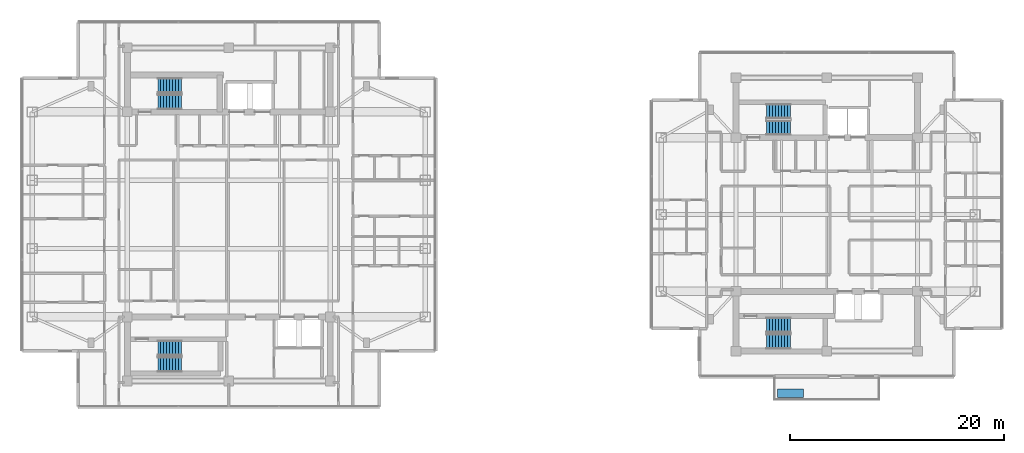
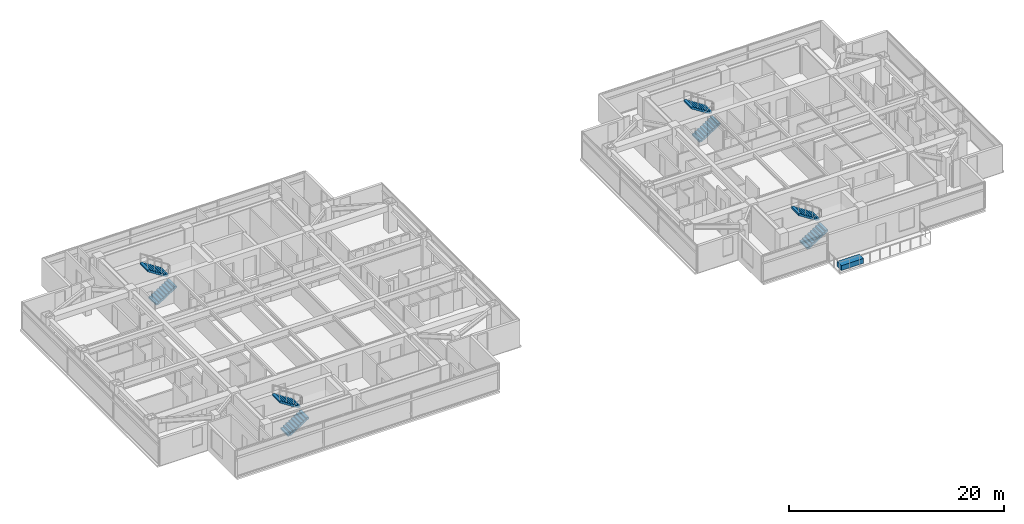
# One storey, part 18 of 23: 8 stair flights, 1 discrete accessory, 4 elements without a shape of their own.
"""IFC4 building model written with IfcOpenShell, lengths in metres."""

from ifc_helpers import new_model, si_unit, direction, frame, origin, origin_2d, place, context, subcontext, project, spatial, polyline, rectangle, outline, extrude, material, type_object, element, aggregate, save


model = new_model("IFC4")

# Units and contexts
model_context = context("Model", 3, precision=1e-05, world=origin(), true_north=direction((0.0, 1.0)))
body_context = subcontext(model_context, "Body", "Model", "MODEL_VIEW")
ifc_project = project(units=[si_unit("LENGTHUNIT", "METRE"), si_unit("AREAUNIT", "SQUARE_METRE"), si_unit("VOLUMEUNIT", "CUBIC_METRE"), si_unit("PLANEANGLEUNIT", "RADIAN"), si_unit("MASSUNIT", "GRAM", prefix="KILO")], contexts=[model_context])

# Site, building, storey
site_placement = place(None, origin())
site = spatial("IfcSite", under=ifc_project, at=site_placement, CompositionType="ELEMENT")
building_placement = place(site_placement, origin())
building = spatial("IfcBuilding", under=site, at=building_placement, Name="Mirazonda Arch Towers", CompositionType="ELEMENT")
storey_placement = place(building_placement, frame((0.0, 0.0, 183.64990234375)))
storey = spatial("IfcBuildingStorey", under=building, at=storey_placement, Name="L52", CompositionType="ELEMENT", Elevation=183.64990234375)

# Stair, stair flights
ifc_material_1 = material(Name="Concrete C40/50", Category="concrete")
stair_type = type_object("IfcStairType", Name="STAIR-CORE-1400", PredefinedType="HALF_TURN_STAIR", material=ifc_material_1)
stair_1_placement = place(storey_placement, origin())
stair_1 = element("IfcStair", 1, at=stair_1_placement, inside=storey, type_object=stair_type, Name="L52 Protected Exit Stair ST-T1N", PredefinedType="HALF_TURN_STAIR")
stair_flight_type = type_object("IfcStairFlightType", Name="FLIGHT-1400", PredefinedType="STRAIGHT", material=ifc_material_1)
stair_flight_1_placement = place(storey_placement, frame((13.85009765625, 38.52001953125, 0.0), z_axis=(0.0, 0.0, 1.0), x_axis=(1.0, 0.0, 0.0)))
stair_flight_1 = element("IfcStairFlight", 2, at=stair_flight_1_placement, type_object=stair_flight_type, Name="ST-T1N flight 1", NumberOfRisers=9, NumberOfTreads=8, PredefinedType="STRAIGHT", RiserHeight=0.180555556, TreadLength=0.28, context=body_context, shape_type="SweptSolid", body=[
    extrude(outline(polyline([(0.0, 0.0), (0.0, 0.1806640625), (0.280029296875, 0.1806640625), (0.280029296875, 0.361083984375), (0.56005859375, 0.361083984375), (0.56005859375, 0.541748046875), (0.840087890625, 0.541748046875), (0.840087890625, 0.72216796875), (1.1201171875, 0.72216796875), (1.1201171875, 0.90283203125), (1.39990234375, 0.90283203125), (1.39990234375, 1.083251953125), (1.679931640625, 1.083251953125), (1.679931640625, 1.263916015625), (1.9599609375, 1.263916015625), (1.9599609375, 1.4443359375), (2.239990234375, 1.4443359375), (2.239990234375, 1.625), (2.239990234375, 1.254150390625), (0.295166015625, 0.0), (0.0, 0.0)])), frame((0.0, 0.699951171875, 0.0), z_axis=(0.0, -1.0, 0.0), x_axis=(1.0, 0.0, 0.0)), (0.0, 0.0, 1.0), 1.39990234375),
])
stair_flight_2_placement = place(storey_placement, frame((16.090087890625, 40.06005859375, 1.625), z_axis=(0.0, 0.0, 1.0), x_axis=(-1.0, 0.0, 0.0)))
stair_flight_2 = element("IfcStairFlight", 3, at=stair_flight_2_placement, type_object=stair_flight_type, Name="ST-T1N flight 2", NumberOfRisers=9, NumberOfTreads=8, PredefinedType="STRAIGHT", RiserHeight=0.180555556, TreadLength=0.28, context=body_context, shape_type="SweptSolid", body=[
    extrude(outline(polyline([(0.0, 0.0), (0.0, 0.1806640625), (0.280029296875, 0.1806640625), (0.280029296875, 0.361083984375), (0.56005859375, 0.361083984375), (0.56005859375, 0.541748046875), (0.840087890625, 0.541748046875), (0.840087890625, 0.72216796875), (1.1201171875, 0.72216796875), (1.1201171875, 0.90283203125), (1.39990234375, 0.90283203125), (1.39990234375, 1.083251953125), (1.679931640625, 1.083251953125), (1.679931640625, 1.263916015625), (1.9599609375, 1.263916015625), (1.9599609375, 1.4443359375), (2.239990234375, 1.4443359375), (2.239990234375, 1.625), (2.239990234375, 1.254150390625), (0.295166015625, 0.0), (0.0, 0.0)])), frame((0.0, 0.699951171875, 0.0), z_axis=(0.0, -1.0, 0.0), x_axis=(1.0, 0.0, 0.0)), (0.0, 0.0, 1.0), 1.39990234375),
])
aggregate(stair_1, [stair_flight_1, stair_flight_2])

stair_2_placement = place(storey_placement, origin())
stair_2 = element("IfcStair", 4, at=stair_2_placement, inside=storey, type_object=stair_type, Name="L52 Protected Exit Stair ST-T1S", PredefinedType="HALF_TURN_STAIR")
stair_flight_3_placement = place(storey_placement, frame((13.85009765625, 13.949951171875, 0.0), z_axis=(0.0, 0.0, 1.0), x_axis=(1.0, 0.0, 0.0)))
stair_flight_3 = element("IfcStairFlight", 5, at=stair_flight_3_placement, type_object=stair_flight_type, Name="ST-T1S flight 1", NumberOfRisers=9, NumberOfTreads=8, PredefinedType="STRAIGHT", RiserHeight=0.180555556, TreadLength=0.28, context=body_context, shape_type="SweptSolid", body=[
    extrude(outline(polyline([(0.0, 0.0), (0.0, 0.1806640625), (0.280029296875, 0.1806640625), (0.280029296875, 0.361083984375), (0.56005859375, 0.361083984375), (0.56005859375, 0.541748046875), (0.840087890625, 0.541748046875), (0.840087890625, 0.72216796875), (1.1201171875, 0.72216796875), (1.1201171875, 0.90283203125), (1.39990234375, 0.90283203125), (1.39990234375, 1.083251953125), (1.679931640625, 1.083251953125), (1.679931640625, 1.263916015625), (1.9599609375, 1.263916015625), (1.9599609375, 1.4443359375), (2.239990234375, 1.4443359375), (2.239990234375, 1.625), (2.239990234375, 1.254150390625), (0.295166015625, 0.0), (0.0, 0.0)])), frame((0.0, 0.699951171875, 0.0), z_axis=(0.0, -1.0, 0.0), x_axis=(1.0, 0.0, 0.0)), (0.0, 0.0, 1.0), 1.39990234375),
])
stair_flight_4_placement = place(storey_placement, frame((16.090087890625, 15.489990234375, 1.625), z_axis=(0.0, 0.0, 1.0), x_axis=(-1.0, 0.0, 0.0)))
stair_flight_4 = element("IfcStairFlight", 6, at=stair_flight_4_placement, type_object=stair_flight_type, Name="ST-T1S flight 2", NumberOfRisers=9, NumberOfTreads=8, PredefinedType="STRAIGHT", RiserHeight=0.180555556, TreadLength=0.28, context=body_context, shape_type="SweptSolid", body=[
    extrude(outline(polyline([(0.0, 0.0), (0.0, 0.1806640625), (0.280029296875, 0.1806640625), (0.280029296875, 0.361083984375), (0.56005859375, 0.361083984375), (0.56005859375, 0.541748046875), (0.840087890625, 0.541748046875), (0.840087890625, 0.72216796875), (1.1201171875, 0.72216796875), (1.1201171875, 0.90283203125), (1.39990234375, 0.90283203125), (1.39990234375, 1.083251953125), (1.679931640625, 1.083251953125), (1.679931640625, 1.263916015625), (1.9599609375, 1.263916015625), (1.9599609375, 1.4443359375), (2.239990234375, 1.4443359375), (2.239990234375, 1.625), (2.239990234375, 1.254150390625), (0.295166015625, 0.0), (0.0, 0.0)])), frame((0.0, 0.699951171875, 0.0), z_axis=(0.0, -1.0, 0.0), x_axis=(1.0, 0.0, 0.0)), (0.0, 0.0, 1.0), 1.39990234375),
])
aggregate(stair_2, [stair_flight_3, stair_flight_4])

stair_3_placement = place(storey_placement, origin())
stair_3 = element("IfcStair", 7, at=stair_3_placement, inside=storey, type_object=stair_type, Name="L52 Protected Exit Stair ST-T2N", PredefinedType="HALF_TURN_STAIR")
stair_flight_5_placement = place(storey_placement, frame((70.85009765625, 36.1201171875, 0.0), z_axis=(0.0, 0.0, 1.0), x_axis=(1.0, 0.0, 0.0)))
stair_flight_5 = element("IfcStairFlight", 8, at=stair_flight_5_placement, type_object=stair_flight_type, Name="ST-T2N flight 1", NumberOfRisers=9, NumberOfTreads=8, PredefinedType="STRAIGHT", RiserHeight=0.180555556, TreadLength=0.28, context=body_context, shape_type="SweptSolid", body=[
    extrude(outline(polyline([(0.0, 0.0), (0.0, 0.1806640625), (0.280029296875, 0.1806640625), (0.280029296875, 0.361083984375), (0.56005859375, 0.361083984375), (0.56005859375, 0.541748046875), (0.840087890625, 0.541748046875), (0.840087890625, 0.72216796875), (1.1201171875, 0.72216796875), (1.1201171875, 0.90283203125), (1.39990234375, 0.90283203125), (1.39990234375, 1.083251953125), (1.679931640625, 1.083251953125), (1.679931640625, 1.263916015625), (1.9599609375, 1.263916015625), (1.9599609375, 1.4443359375), (2.239990234375, 1.4443359375), (2.239990234375, 1.625), (2.239990234375, 1.254150390625), (0.295166015625, 0.0), (0.0, 0.0)])), frame((0.0, 0.699951171875, 0.0), z_axis=(0.0, -1.0, 0.0), x_axis=(1.0, 0.0, 0.0)), (0.0, 0.0, 1.0), 1.39990234375),
])
stair_flight_6_placement = place(storey_placement, frame((73.090087890625, 37.659912109375, 1.625), z_axis=(0.0, 0.0, 1.0), x_axis=(-1.0, 0.0, 0.0)))
stair_flight_6 = element("IfcStairFlight", 9, at=stair_flight_6_placement, type_object=stair_flight_type, Name="ST-T2N flight 2", NumberOfRisers=9, NumberOfTreads=8, PredefinedType="STRAIGHT", RiserHeight=0.180555556, TreadLength=0.28, context=body_context, shape_type="SweptSolid", body=[
    extrude(outline(polyline([(0.0, 0.0), (0.0, 0.1806640625), (0.280029296875, 0.1806640625), (0.280029296875, 0.361083984375), (0.56005859375, 0.361083984375), (0.56005859375, 0.541748046875), (0.840087890625, 0.541748046875), (0.840087890625, 0.72216796875), (1.1201171875, 0.72216796875), (1.1201171875, 0.90283203125), (1.39990234375, 0.90283203125), (1.39990234375, 1.083251953125), (1.679931640625, 1.083251953125), (1.679931640625, 1.263916015625), (1.9599609375, 1.263916015625), (1.9599609375, 1.4443359375), (2.239990234375, 1.4443359375), (2.239990234375, 1.625), (2.239990234375, 1.254150390625), (0.295166015625, 0.0), (0.0, 0.0)])), frame((0.0, 0.699951171875, 0.0), z_axis=(0.0, -1.0, 0.0), x_axis=(1.0, 0.0, 0.0)), (0.0, 0.0, 1.0), 1.39990234375),
])
aggregate(stair_3, [stair_flight_5, stair_flight_6])

stair_4_placement = place(storey_placement, origin())
stair_4 = element("IfcStair", 10, at=stair_4_placement, inside=storey, type_object=stair_type, Name="L52 Protected Exit Stair ST-T2S", PredefinedType="HALF_TURN_STAIR")
stair_flight_7_placement = place(storey_placement, frame((70.85009765625, 16.1201171875, 0.0), z_axis=(0.0, 0.0, 1.0), x_axis=(1.0, 0.0, 0.0)))
stair_flight_7 = element("IfcStairFlight", 11, at=stair_flight_7_placement, type_object=stair_flight_type, Name="ST-T2S flight 1", NumberOfRisers=9, NumberOfTreads=8, PredefinedType="STRAIGHT", RiserHeight=0.180555556, TreadLength=0.28, context=body_context, shape_type="SweptSolid", body=[
    extrude(outline(polyline([(0.0, 0.0), (0.0, 0.1806640625), (0.280029296875, 0.1806640625), (0.280029296875, 0.361083984375), (0.56005859375, 0.361083984375), (0.56005859375, 0.541748046875), (0.840087890625, 0.541748046875), (0.840087890625, 0.72216796875), (1.1201171875, 0.72216796875), (1.1201171875, 0.90283203125), (1.39990234375, 0.90283203125), (1.39990234375, 1.083251953125), (1.679931640625, 1.083251953125), (1.679931640625, 1.263916015625), (1.9599609375, 1.263916015625), (1.9599609375, 1.4443359375), (2.239990234375, 1.4443359375), (2.239990234375, 1.625), (2.239990234375, 1.254150390625), (0.295166015625, 0.0), (0.0, 0.0)])), frame((0.0, 0.699951171875, 0.0), z_axis=(0.0, -1.0, 0.0), x_axis=(1.0, 0.0, 0.0)), (0.0, 0.0, 1.0), 1.39990234375),
])
stair_flight_8_placement = place(storey_placement, frame((73.090087890625, 17.659912109375, 1.625), z_axis=(0.0, 0.0, 1.0), x_axis=(-1.0, 0.0, 0.0)))
stair_flight_8 = element("IfcStairFlight", 12, at=stair_flight_8_placement, type_object=stair_flight_type, Name="ST-T2S flight 2", NumberOfRisers=9, NumberOfTreads=8, PredefinedType="STRAIGHT", RiserHeight=0.180555556, TreadLength=0.28, context=body_context, shape_type="SweptSolid", body=[
    extrude(outline(polyline([(0.0, 0.0), (0.0, 0.1806640625), (0.280029296875, 0.1806640625), (0.280029296875, 0.361083984375), (0.56005859375, 0.361083984375), (0.56005859375, 0.541748046875), (0.840087890625, 0.541748046875), (0.840087890625, 0.72216796875), (1.1201171875, 0.72216796875), (1.1201171875, 0.90283203125), (1.39990234375, 0.90283203125), (1.39990234375, 1.083251953125), (1.679931640625, 1.083251953125), (1.679931640625, 1.263916015625), (1.9599609375, 1.263916015625), (1.9599609375, 1.4443359375), (2.239990234375, 1.4443359375), (2.239990234375, 1.625), (2.239990234375, 1.254150390625), (0.295166015625, 0.0), (0.0, 0.0)])), frame((0.0, 0.699951171875, 0.0), z_axis=(0.0, -1.0, 0.0), x_axis=(1.0, 0.0, 0.0)), (0.0, 0.0, 1.0), 1.39990234375),
])
aggregate(stair_4, [stair_flight_7, stair_flight_8])

# Discrete accessory
ifc_material_2 = material(Name="Kiln-Fired Architectural Terracotta", Category="masonry")
discrete_accessory_type = type_object("IfcDiscreteAccessoryType", Name="PLANTER-TERRA", PredefinedType="USERDEFINED", material=ifc_material_2)
discrete_accessory_placement = place(storey_placement, frame((73.10009765625, 11.241455078125, 0.0), z_axis=(0.0, 0.0, 1.0), x_axis=(1.0, 0.0, 0.0)))
element("IfcDiscreteAccessory", 13, at=discrete_accessory_placement, inside=storey, type_object=discrete_accessory_type, Name="L52 T2 Sky-Terrace Planter", ObjectType="PLANTER", PredefinedType="USERDEFINED", context=body_context, shape_type="SweptSolid", body=[
    extrude(rectangle(XDim=2.39990234375, YDim=0.800048828125, at=origin_2d()), origin(), (0.0, 0.0, 1.0), 0.550048828125),
])

save(model, "model.ifc")
